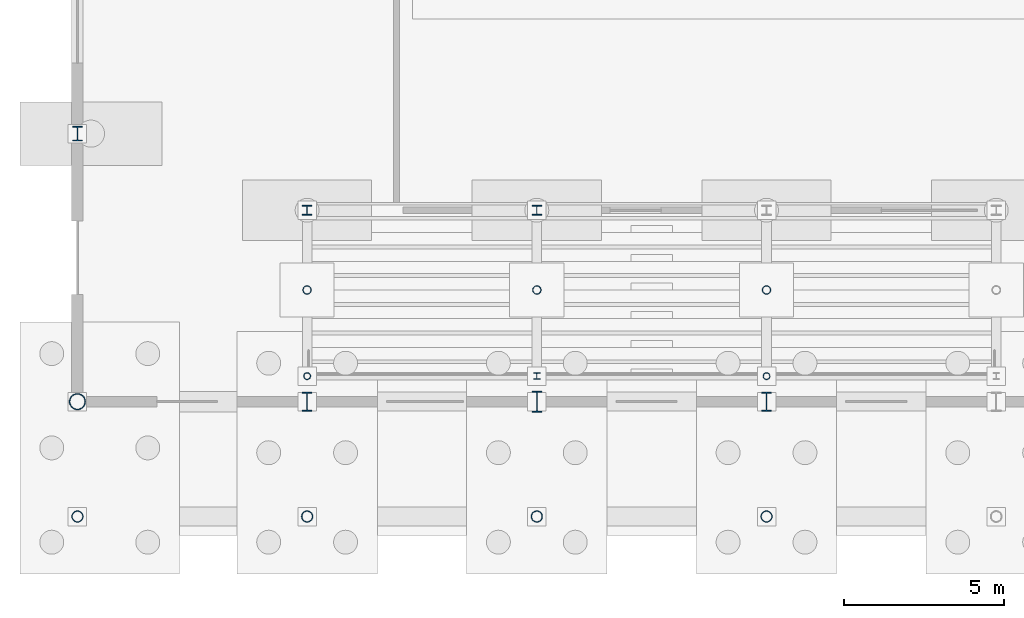
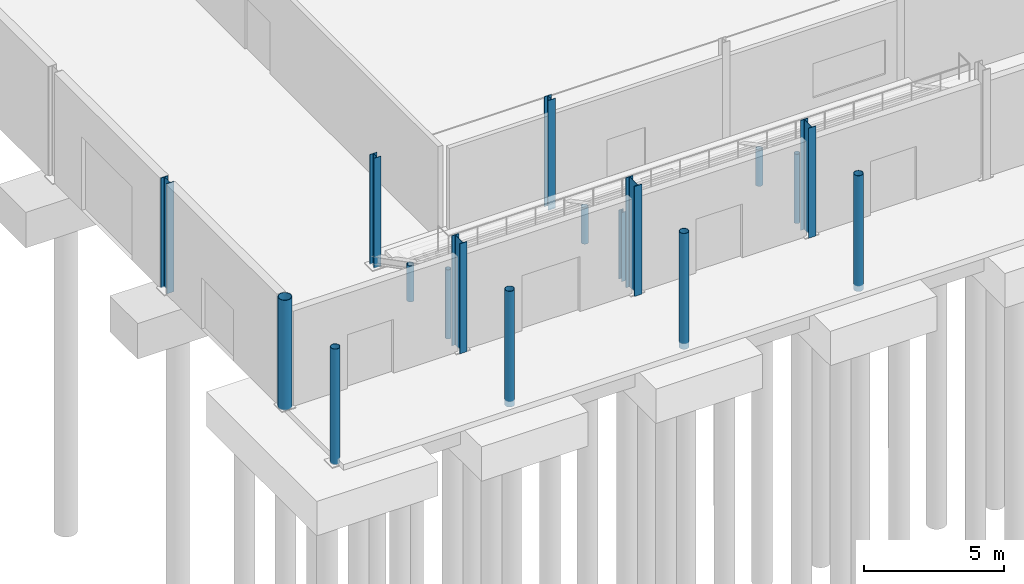
# One storey, part 4 of 101: 17 columns.
"""IFC4 building model written with IfcOpenShell, lengths in metres."""

from ifc_helpers import new_model, si_unit, derived_unit, direction, frame, origin, origin_2d, place, context, subcontext, project, spatial, hollow_circle, i_section, extrude, material, material_profile, profile_set, type_object, element, save


model = new_model("IFC4")

# Units and contexts
model_context = context("Model", 3, precision=1e-05, world=origin(), true_north=direction((0.0, 1.0)))
body_context = subcontext(model_context, "Body", "Model", "MODEL_VIEW")
ifc_project = project(units=[si_unit("LENGTHUNIT", "METRE"), si_unit("AREAUNIT", "SQUARE_METRE"), si_unit("VOLUMEUNIT", "CUBIC_METRE"), si_unit("PLANEANGLEUNIT", "RADIAN"), si_unit("MASSUNIT", "GRAM", prefix="KILO"), derived_unit("THERMALTRANSMITTANCEUNIT", [(si_unit("POWERUNIT", "WATT"), 1), (si_unit("LENGTHUNIT", "METRE"), -2), (si_unit("THERMODYNAMICTEMPERATUREUNIT", "KELVIN"), -1)])], contexts=[model_context])

# Site, building, storey
site_placement = place(None, origin())
site = spatial("IfcSite", under=ifc_project, at=site_placement, CompositionType="ELEMENT")
building_placement = place(site_placement, origin())
building = spatial("IfcBuilding", under=site, at=building_placement, Name="Keldorne Ridge Multi-Sports Centre", CompositionType="ELEMENT")
storey_placement = place(building_placement, origin())
storey = spatial("IfcBuildingStorey", under=building, at=storey_placement, Name="L00", CompositionType="ELEMENT", Elevation=0.0)

# Columns
ifc_material = material(Name="Steel S355", Category="steel")
ifc_material_profile_1 = material_profile(ifc_material, i_section(OverallWidth=0.300048828125, OverallDepth=0.60009765625, WebThickness=0.015380859375, FlangeThickness=0.030029296875, FilletRadius=0.027099609375, at=origin_2d()), Name="HEB 600")
ifc_profile_set_1 = profile_set([ifc_material_profile_1], Name="Steel S355")
column_type_1 = type_object("IfcColumnType", Name="COL-C-01", PredefinedType="COLUMN", material=ifc_profile_set_1)
for number, where, z_axis, x_axis, name in (
    (1, (13.199951171875, 9.60009765625, 0.0), (0.0, 0.0, 1.0), (1.0, 0.0, 0.0), "Structural column V1-HALL-S-02 on L00"),
    (2, (27.60009765625, 9.60009765625, 0.0), (0.0, 0.0, 1.0), (1.0, 0.0, 0.0), "Structural column V1-HALL-S-04 on L00"),
):
    element("IfcColumn", number, at=place(storey_placement, frame(where, z_axis=z_axis, x_axis=x_axis)), inside=storey, type_object=column_type_1, Name=name, PredefinedType="COLUMN", context=body_context, shape_type="SweptSolid", body=[
        extrude(i_section(OverallWidth=0.300048828125, OverallDepth=0.60009765625, WebThickness=0.015380859375, FlangeThickness=0.030029296875, FilletRadius=0.027099609375, at=origin_2d()), origin(), (0.0, 0.0, 1.0), 4.800048828125),
    ])
ifc_material_profile_2 = material_profile(ifc_material, hollow_circle(Radius=0.25390625, WallThickness=0.02001953125, at=origin_2d()), Name="CHS 508x20")
ifc_profile_set_2 = profile_set([ifc_material_profile_2], Name="Steel S355")
column_type_2 = type_object("IfcColumnType", Name="COL-C-02", PredefinedType="COLUMN", material=ifc_profile_set_2)
column_1_placement = place(storey_placement, frame((6.0, 9.60009765625, 0.0), z_axis=(0.0, 0.0, 1.0), x_axis=(1.0, 0.0, 0.0)))
element("IfcColumn", 3, at=column_1_placement, inside=storey, type_object=column_type_2, Name="Structural column V1-HALL-S-01 on L00", PredefinedType="COLUMN", context=body_context, shape_type="SweptSolid", body=[
    extrude(hollow_circle(Radius=0.25390625, WallThickness=0.02001953125, at=origin_2d()), origin(), (0.0, 0.0, 1.0), 4.800048828125),
])
ifc_material_profile_3 = material_profile(ifc_material, hollow_circle(Radius=0.177734375, WallThickness=0.01611328125, at=origin_2d()), Name="CHS 355.6x16")
ifc_profile_set_3 = profile_set([ifc_material_profile_3], Name="Steel S355")
column_type_3 = type_object("IfcColumnType", Name="COL-C-03", PredefinedType="PILASTER", material=ifc_profile_set_3)
for number, where, z_axis, x_axis, name in (
    (4, (6.0, 6.0, -0.25), (0.0, 0.0, 1.0), (1.0, 0.0, 0.0), "Structural column V1-COLN-01 on L00"),
    (5, (13.199951171875, 6.0, -0.25), (0.0, 0.0, 1.0), (1.0, 0.0, 0.0), "Structural column V1-COLN-02 on L00"),
    (6, (20.39990234375, 6.0, -0.25), (0.0, 0.0, 1.0), (1.0, 0.0, 0.0), "Structural column V1-COLN-03 on L00"),
    (7, (27.60009765625, 6.0, -0.25), (0.0, 0.0, 1.0), (1.0, 0.0, 0.0), "Structural column V1-COLN-04 on L00"),
):
    element("IfcColumn", number, at=place(storey_placement, frame(where, z_axis=z_axis, x_axis=x_axis)), inside=storey, type_object=column_type_3, Name=name, PredefinedType="PILASTER", context=body_context, shape_type="SweptSolid", body=[
        extrude(hollow_circle(Radius=0.177734375, WallThickness=0.01611328125, at=origin_2d()), origin(), (0.0, 0.0, 1.0), 5.050048828125),
    ])
ifc_material_profile_4 = material_profile(ifc_material, i_section(OverallWidth=0.300048828125, OverallDepth=0.449951171875, WebThickness=0.013916015625, FlangeThickness=0.02587890625, FilletRadius=0.027099609375, at=origin_2d()), Name="HEB 450")
ifc_profile_set_4 = profile_set([ifc_material_profile_4], Name="Steel S355")
column_type_4 = type_object("IfcColumnType", Name="COL-C-06", PredefinedType="COLUMN", material=ifc_profile_set_4)
column_2_placement = place(storey_placement, frame((6.0, 18.0, 0.0), z_axis=(0.0, 0.0, 1.0), x_axis=(1.0, 0.0, 0.0)))
element("IfcColumn", 8, at=column_2_placement, inside=storey, type_object=column_type_4, Name="Structural column V1-GABLE-W-01 on L00", PredefinedType="COLUMN", context=body_context, shape_type="SweptSolid", body=[
    extrude(i_section(OverallWidth=0.300048828125, OverallDepth=0.449951171875, WebThickness=0.013916015625, FlangeThickness=0.02587890625, FilletRadius=0.027099609375, at=origin_2d()), origin(), (0.0, 0.0, 1.0), 4.800048828125),
])
ifc_material_profile_5 = material_profile(ifc_material, i_section(OverallWidth=0.300048828125, OverallDepth=0.300048828125, WebThickness=0.010986328125, FlangeThickness=0.01904296875, FilletRadius=0.027099609375, at=origin_2d()), Name="HEB 300")
ifc_profile_set_5 = profile_set([ifc_material_profile_5], Name="Steel S355")
column_type_5 = type_object("IfcColumnType", Name="COL-C-12", PredefinedType="COLUMN", material=ifc_profile_set_5)
for number, where, z_axis, x_axis, name in (
    (9, (13.199951171875, 15.60009765625, 0.0), (0.0, 0.0, 1.0), (1.0, 0.0, 0.0), "Structural column V1-MEZZ-02 on L00"),
    (10, (20.39990234375, 15.60009765625, 0.0), (0.0, 0.0, 1.0), (1.0, 0.0, 0.0), "Structural column V1-MEZZ-03 on L00"),
):
    element("IfcColumn", number, at=place(storey_placement, frame(where, z_axis=z_axis, x_axis=x_axis)), inside=storey, type_object=column_type_5, Name=name, PredefinedType="COLUMN", context=body_context, shape_type="SweptSolid", body=[
        extrude(i_section(OverallWidth=0.300048828125, OverallDepth=0.300048828125, WebThickness=0.010986328125, FlangeThickness=0.01904296875, FilletRadius=0.027099609375, at=origin_2d()), origin(), (0.0, 0.0, 1.0), 4.800048828125),
    ])
ifc_material_profile_6 = material_profile(ifc_material, hollow_circle(Radius=0.109619140625, WallThickness=0.012451171875, at=origin_2d()), Name="CHS 219.1x12.5")
ifc_profile_set_6 = profile_set([ifc_material_profile_6], Name="Steel S355")
column_type_6 = type_object("IfcColumnType", Name="COL-C-26", PredefinedType="COLUMN", material=ifc_profile_set_6)
for number, where, z_axis, x_axis, name in (
    (11, (13.199951171875, 10.39990234375, 0.0), (0.0, 0.0, 1.0), (1.0, 0.0, 0.0), "Structural column V1-STDCOL-SOUTH-01 on L00"),
    (12, (27.60009765625, 10.39990234375, 0.0), (0.0, 0.0, 1.0), (1.0, 0.0, 0.0), "Structural column V1-STDCOL-SOUTH-03 on L00"),
):
    element("IfcColumn", number, at=place(storey_placement, frame(where, z_axis=z_axis, x_axis=x_axis)), inside=storey, type_object=column_type_6, Name=name, PredefinedType="COLUMN", context=body_context, shape_type="SweptSolid", body=[
        extrude(hollow_circle(Radius=0.109619140625, WallThickness=0.012451171875, at=origin_2d()), origin(), (0.0, 0.0, 1.0), 3.02001953125),
    ])
ifc_material_profile_7 = material_profile(ifc_material, i_section(OverallWidth=0.199951171875, OverallDepth=0.199951171875, WebThickness=0.009033203125, FlangeThickness=0.014892578125, FilletRadius=0.01806640625, at=origin_2d()), Name="HEB 200")
ifc_profile_set_7 = profile_set([ifc_material_profile_7], Name="Steel S355")
column_type_7 = type_object("IfcColumnType", Name="COL-C-31", PredefinedType="COLUMN", material=ifc_profile_set_7)
column_3_placement = place(storey_placement, frame((20.39990234375, 10.39990234375, 0.0), z_axis=(0.0, 0.0, 1.0), x_axis=(1.0, 0.0, 0.0)))
element("IfcColumn", 13, at=column_3_placement, inside=storey, type_object=column_type_7, Name="Structural column V1-STDCOL-SOUTH-02 on L00", PredefinedType="COLUMN", context=body_context, shape_type="SweptSolid", body=[
    extrude(i_section(OverallWidth=0.199951171875, OverallDepth=0.199951171875, WebThickness=0.009033203125, FlangeThickness=0.014892578125, FilletRadius=0.01806640625, at=origin_2d()), origin(), (0.0, 0.0, 1.0), 3.02001953125),
])
ifc_material_profile_8 = material_profile(ifc_material, i_section(OverallWidth=0.300048828125, OverallDepth=0.64990234375, WebThickness=0.01611328125, FlangeThickness=0.031005859375, FilletRadius=0.027099609375, at=origin_2d()), Name="HEB 650")
ifc_profile_set_8 = profile_set([ifc_material_profile_8], Name="Steel S355")
column_type_8 = type_object("IfcColumnType", Name="COL-C-38", PredefinedType="COLUMN", material=ifc_profile_set_8)
column_4_placement = place(storey_placement, frame((20.39990234375, 9.60009765625, 0.0), z_axis=(0.0, 0.0, 1.0), x_axis=(1.0, 0.0, 0.0)))
element("IfcColumn", 14, at=column_4_placement, inside=storey, type_object=column_type_8, Name="Structural column V1-HALL-S-03 on L00", PredefinedType="COLUMN", context=body_context, shape_type="SweptSolid", body=[
    extrude(i_section(OverallWidth=0.300048828125, OverallDepth=0.64990234375, WebThickness=0.01611328125, FlangeThickness=0.031005859375, FilletRadius=0.027099609375, at=origin_2d()), origin(), (0.0, 0.0, 1.0), 4.800048828125),
])
ifc_material_profile_9 = material_profile(ifc_material, hollow_circle(Radius=0.133544921875, WallThickness=0.012451171875, at=origin_2d()), Name="CHS 267x12.5")
ifc_profile_set_9 = profile_set([ifc_material_profile_9], Name="Steel S355")
column_type_9 = type_object("IfcColumnType", Name="COL-C-41", PredefinedType="COLUMN", material=ifc_profile_set_9)
for number, where, z_axis, x_axis, name in (
    (15, (13.199951171875, 13.10009765625, 0.0), (0.0, 0.0, 1.0), (1.0, 0.0, 0.0), "Structural column V1-STDMID-SOUTH-01 on L00"),
    (16, (20.39990234375, 13.10009765625, 0.0), (0.0, 0.0, 1.0), (1.0, 0.0, 0.0), "Structural column V1-STDMID-SOUTH-02 on L00"),
    (17, (27.60009765625, 13.10009765625, 0.0), (0.0, 0.0, 1.0), (1.0, 0.0, 0.0), "Structural column V1-STDMID-SOUTH-03 on L00"),
):
    element("IfcColumn", number, at=place(storey_placement, frame(where, z_axis=z_axis, x_axis=x_axis)), inside=storey, type_object=column_type_9, Name=name, PredefinedType="COLUMN", context=body_context, shape_type="SweptSolid", body=[
        extrude(hollow_circle(Radius=0.133544921875, WallThickness=0.012451171875, at=origin_2d()), origin(), (0.0, 0.0, 1.0), 1.580078125),
    ])

save(model, "model.ifc")
